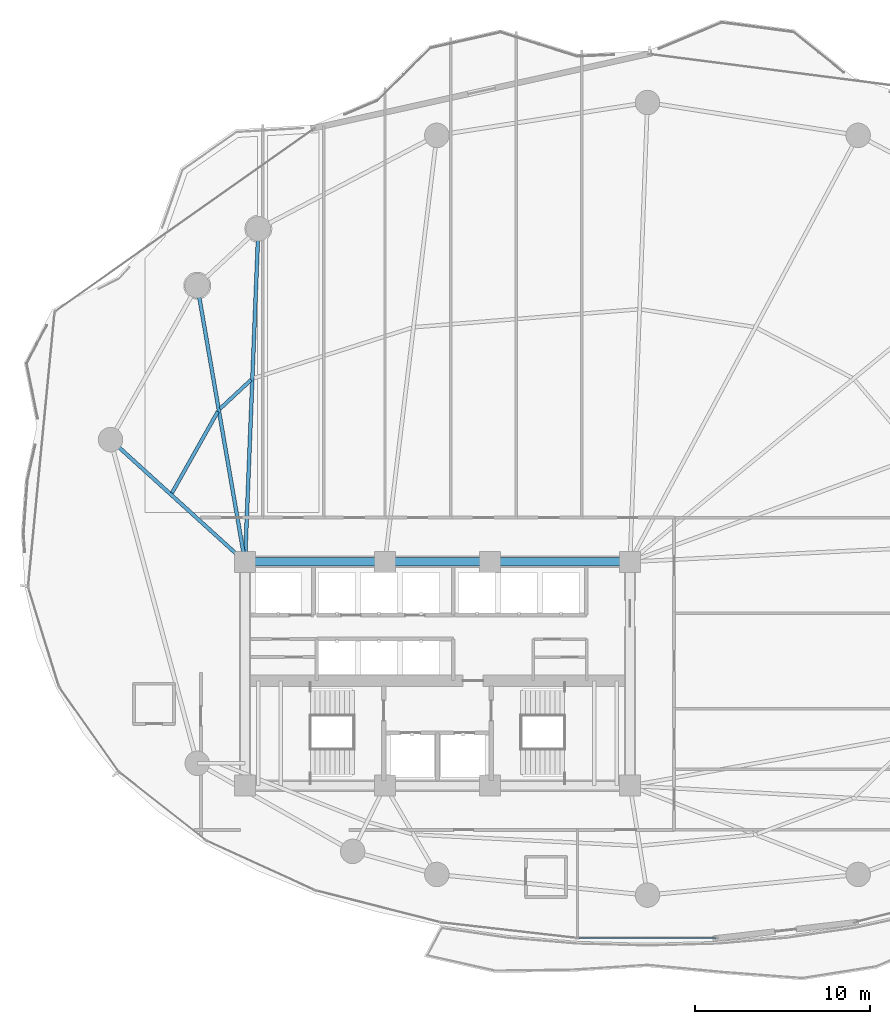
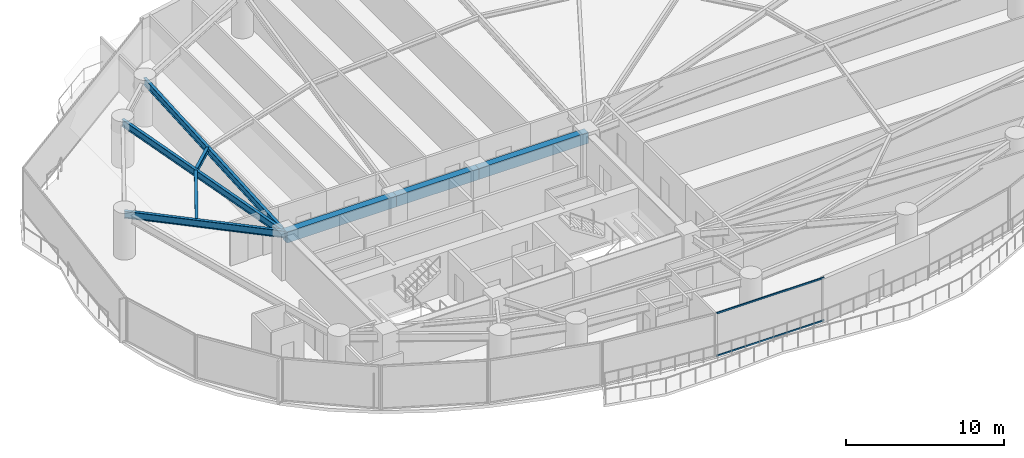
# One storey, part 9 of 31: 8 beams, 2 members, 1 element without a shape of its own.
"""IFC4 building model written with IfcOpenShell, lengths in metres."""

from ifc_helpers import new_model, si_unit, direction, frame, origin, origin_2d, place, context, subcontext, project, spatial, rectangle, hollow_rectangle, i_section, extrude, material, layer, layer_set, material_profile, profile_set, type_object, element, aggregate, save


model = new_model("IFC4")

# Units and contexts
model_context = context("Model", 3, precision=1e-05, world=origin(), true_north=direction((0.0, 1.0)))
body_context = subcontext(model_context, "Body", "Model", "MODEL_VIEW")
ifc_project = project(units=[si_unit("LENGTHUNIT", "METRE"), si_unit("AREAUNIT", "SQUARE_METRE"), si_unit("VOLUMEUNIT", "CUBIC_METRE"), si_unit("PLANEANGLEUNIT", "RADIAN"), si_unit("MASSUNIT", "GRAM", prefix="KILO")], contexts=[model_context])

# Site, building, storey
site_placement = place(None, origin())
site = spatial("IfcSite", under=ifc_project, at=site_placement, CompositionType="ELEMENT")
building_placement = place(site_placement, origin())
building = spatial("IfcBuilding", under=site, at=building_placement, Name="Kazevale Care Tower and Concert Hall", CompositionType="ELEMENT")
storey_placement = place(building_placement, frame((0.0, 0.0, 63.60009765625)))
storey = spatial("IfcBuildingStorey", under=building, at=storey_placement, Name="L16", CompositionType="ELEMENT", Elevation=63.60009765625)

# Curtain wall, members
ifc_material_1 = material(Name="Aluminium 6063-T6 and Low-E Glass", Category="aluminium")
ifc_layer = layer(ifc_material_1, 0.179931640625)
ifc_layer_set = layer_set([ifc_layer], Name="Aluminium 6063-T6 and Low-E Glass")
curtain_wall_type = type_object("IfcCurtainWallType", Name="Sheltered Concave Balcony Curtain Wall CW-5", PredefinedType="NOTDEFINED", material=ifc_layer_set)
curtain_wall_placement = place(storey_placement, origin())
curtain_wall = element("IfcCurtainWall", 1, at=curtain_wall_placement, inside=storey, type_object=curtain_wall_type, Name="cw:L16:f06", PredefinedType="NOTDEFINED")
ifc_material_2 = material(Name="Aluminium 6063-T6", Category="aluminium")
ifc_material_profile_1 = material_profile(ifc_material_2, hollow_rectangle(XDim=0.074951171875, YDim=0.1201171875, WallThickness=0.00390625, at=origin_2d()), Name="ALU75x120x4")
ifc_profile_set_1 = profile_set([ifc_material_profile_1], Name="Aluminium 6063-T6")
member_type = type_object("IfcMemberType", Name="CW-5 Transom ALU75x120x4", PredefinedType="USERDEFINED", material=ifc_profile_set_1)
member_1_placement = place(storey_placement, frame((48.923095703125, 14.889892578125, 0.037353515625), z_axis=(-1.0, 0.0, 0.0), x_axis=(0.0, -1.0, 0.0)))
member_1 = element("IfcMember", 2, at=member_1_placement, type_object=member_type, Name="CW-5 transom 1.1", ObjectType="TRANSOM", PredefinedType="USERDEFINED", context=body_context, shape_type="SweptSolid", body=[
    extrude(hollow_rectangle(XDim=0.074951171875, YDim=0.1201171875, WallThickness=0.00390625, at=origin_2d()), origin(), (0.0, 0.0, 1.0), 7.84619140625),
])
member_2_placement = place(storey_placement, frame((48.923095703125, 14.889892578125, 3.322509765625), z_axis=(-1.0, 0.0, 0.0), x_axis=(0.0, -1.0, 0.0)))
member_2 = element("IfcMember", 3, at=member_2_placement, type_object=member_type, Name="CW-5 transom 1.2", ObjectType="TRANSOM", PredefinedType="USERDEFINED", context=body_context, shape_type="SweptSolid", body=[
    extrude(hollow_rectangle(XDim=0.074951171875, YDim=0.1201171875, WallThickness=0.00390625, at=origin_2d()), origin(), (0.0, 0.0, 1.0), 7.84619140625),
])
aggregate(curtain_wall, [member_1, member_2])

# Beams
ifc_material_3 = material(Name="Concrete C60", Category="concrete")
ifc_material_profile_2 = material_profile(ifc_material_3, rectangle(XDim=0.5, YDim=0.85009765625, at=origin_2d()), Name="RC-B500x850")
ifc_profile_set_2 = profile_set([ifc_material_profile_2], Name="Concrete C60")
beam_type_1 = type_object("IfcBeamType", Name="Core Coupling Beam RC500x850", PredefinedType="LINTEL", material=ifc_profile_set_2)
beam_1_placement = place(storey_placement, frame((44.0, 36.39990234375, 2.934814453125), z_axis=(-1.0, 0.0, 0.0), x_axis=(0.0, -1.0, 0.0)))
element("IfcBeam", 4, at=beam_1_placement, inside=storey, type_object=beam_type_1, Name="beam:L16:coretie:5", PredefinedType="LINTEL", context=body_context, shape_type="SweptSolid", body=[
    extrude(rectangle(XDim=0.5, YDim=0.85009765625, at=origin_2d()), origin(), (0.0, 0.0, 1.0), 8.0),
])
beam_2_placement = place(storey_placement, frame((36.0, 36.39990234375, 2.934814453125), z_axis=(-1.0, 0.0, 0.0), x_axis=(0.0, -1.0, 0.0)))
element("IfcBeam", 5, at=beam_2_placement, inside=storey, type_object=beam_type_1, Name="beam:L16:coretie:6", PredefinedType="LINTEL", context=body_context, shape_type="SweptSolid", body=[
    extrude(rectangle(XDim=0.5, YDim=0.85009765625, at=origin_2d()), origin(), (0.0, 0.0, 1.0), 6.0),
])
beam_3_placement = place(storey_placement, frame((30.0, 36.39990234375, 2.934814453125), z_axis=(-1.0, 0.0, 0.0), x_axis=(0.0, -1.0, 0.0)))
element("IfcBeam", 6, at=beam_3_placement, inside=storey, type_object=beam_type_1, Name="beam:L16:coretie:7", PredefinedType="LINTEL", context=body_context, shape_type="SweptSolid", body=[
    extrude(rectangle(XDim=0.5, YDim=0.85009765625, at=origin_2d()), origin(), (0.0, 0.0, 1.0), 8.0),
])
ifc_material_4 = material(Name="Steel ASTM A572 Gr 50", Category="steel")
ifc_material_profile_3 = material_profile(ifc_material_4, i_section(OverallWidth=0.2119140625, OverallDepth=0.5439453125, WebThickness=0.01318359375, FlangeThickness=0.021240234375, at=origin_2d()), Name="W530x123")
ifc_profile_set_3 = profile_set([ifc_material_profile_3], Name="Steel ASTM A572 Gr 50")
beam_type_2 = type_object("IfcBeamType", Name="Radial Floor Girder W530x123", PredefinedType="BEAM", material=ifc_profile_set_3)
beam_4_placement = place(storey_placement, frame((22.0, 36.39990234375, 3.087890625), z_axis=(0.039905581428, 0.999203455044, 0.0), x_axis=(-0.999203455044, 0.039905581428, 0.0)))
element("IfcBeam", 7, at=beam_4_placement, inside=storey, type_object=beam_type_2, Name="beam:L16:rad:07", PredefinedType="BEAM", context=body_context, shape_type="SweptSolid", body=[
    extrude(i_section(OverallWidth=0.2119140625, OverallDepth=0.5439453125, WebThickness=0.01318359375, FlangeThickness=0.021240234375, at=origin_2d()), origin(), (0.0, 0.0, 1.0), 19.045166015625),
])
beam_5_placement = place(storey_placement, frame((22.0, 36.39990234375, 3.087890625), z_axis=(-0.170469986865, 0.985362868987, 0.0), x_axis=(-0.985362868987, -0.170469986865, 0.0)))
element("IfcBeam", 8, at=beam_5_placement, inside=storey, type_object=beam_type_2, Name="beam:L16:rad:08", PredefinedType="BEAM", context=body_context, shape_type="SweptSolid", body=[
    extrude(i_section(OverallWidth=0.2119140625, OverallDepth=0.5439453125, WebThickness=0.01318359375, FlangeThickness=0.021240234375, at=origin_2d()), origin(), (0.0, 0.0, 1.0), 16.014404296875),
])
beam_6_placement = place(storey_placement, frame((22.0, 36.39990234375, 3.087890625), z_axis=(-0.740461073653, 0.672099247436, 0.0), x_axis=(-0.672099247436, -0.740461073653, 0.0)))
element("IfcBeam", 9, at=beam_6_placement, inside=storey, type_object=beam_type_2, Name="beam:L16:rad:09", PredefinedType="BEAM", context=body_context, shape_type="SweptSolid", body=[
    extrude(i_section(OverallWidth=0.2119140625, OverallDepth=0.5439453125, WebThickness=0.01318359375, FlangeThickness=0.021240234375, at=origin_2d()), origin(), (0.0, 0.0, 1.0), 10.38525390625),
])
ifc_material_profile_4 = material_profile(ifc_material_4, i_section(OverallWidth=0.205078125, OverallDepth=0.35400390625, WebThickness=0.009521484375, FlangeThickness=0.016845703125, at=origin_2d()), Name="W360x79")
ifc_profile_set_4 = profile_set([ifc_material_profile_4], Name="Steel ASTM A572 Gr 50")
beam_type_3 = type_object("IfcBeamType", Name="Secondary Floor Joist W360x79", PredefinedType="JOIST", material=ifc_profile_set_4)
beam_7_placement = place(storey_placement, frame((22.341064453125, 46.794921875, 3.182861328125), z_axis=(-0.73194965424, -0.68135871878, 0.0), x_axis=(0.68135871878, -0.73194965424, 0.0)))
element("IfcBeam", 10, at=beam_7_placement, inside=storey, type_object=beam_type_3, Name="beam:L16:joist:07", PredefinedType="JOIST", context=body_context, shape_type="SweptSolid", body=[
    extrude(i_section(OverallWidth=0.205078125, OverallDepth=0.35400390625, WebThickness=0.009521484375, FlangeThickness=0.016845703125, at=origin_2d()), origin(), (0.0, 0.0, 1.0), 2.412841796875),
])
beam_8_placement = place(storey_placement, frame((20.447021484375, 44.988037109375, 3.182861328125), z_axis=(-0.490956987312, -0.871183813331, 0.0), x_axis=(0.871183813331, -0.490956987312, 0.0)))
element("IfcBeam", 11, at=beam_8_placement, inside=storey, type_object=beam_type_3, Name="beam:L16:joist:08", PredefinedType="JOIST", context=body_context, shape_type="SweptSolid", body=[
    extrude(i_section(OverallWidth=0.205078125, OverallDepth=0.35400390625, WebThickness=0.009521484375, FlangeThickness=0.016845703125, at=origin_2d()), origin(), (0.0, 0.0, 1.0), 5.3466796875),
])

save(model, "model.ifc")
